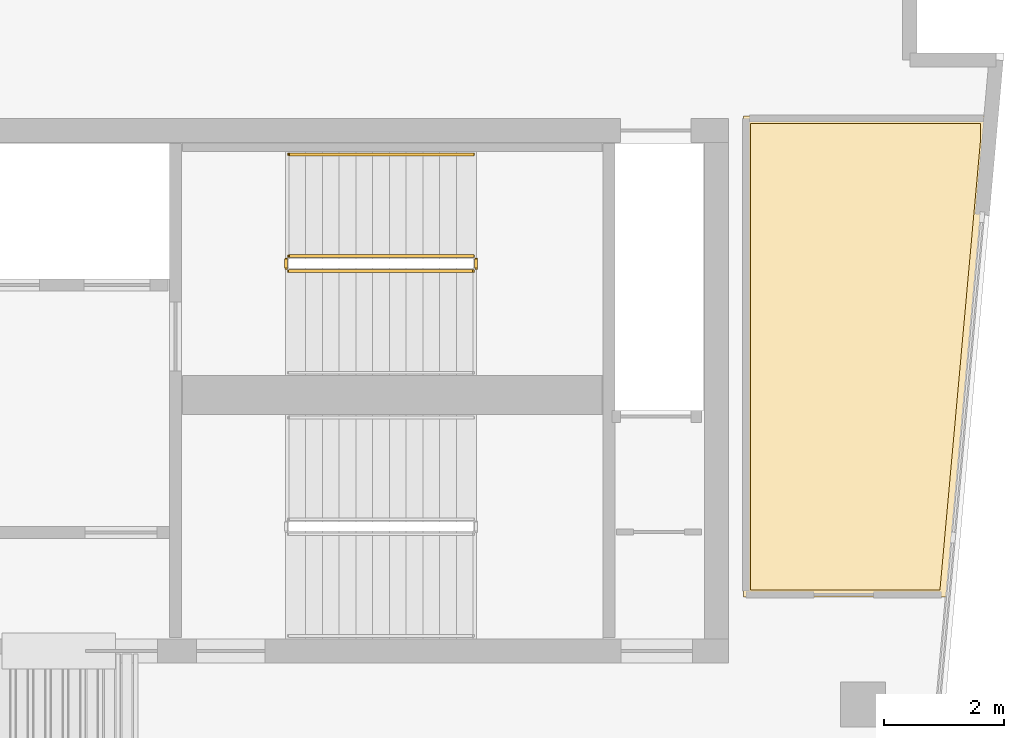
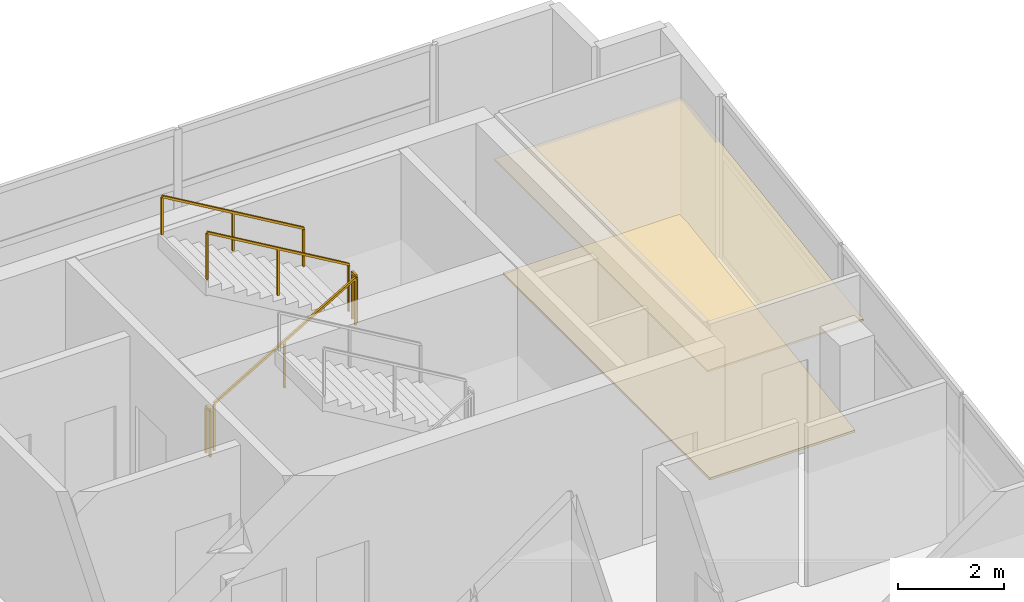
# One storey, part 7 of 7: 5 railings, 2 coverings.
"""IFC4 building model written with IfcOpenShell, lengths in metres."""

from ifc_helpers import new_model, si_unit, direction, frame, origin, origin_2d, place, context, subcontext, project, spatial, polyline, rectangle, outline, extrude, material, layer, layer_set, type_object, element, save


model = new_model("IFC4")

# Units and contexts
model_context = context("Model", 3, precision=1e-05, world=origin(), true_north=direction((0.0, 1.0)))
body_context = subcontext(model_context, "Body", "Model", "MODEL_VIEW")
ifc_project = project(units=[si_unit("LENGTHUNIT", "METRE"), si_unit("AREAUNIT", "SQUARE_METRE"), si_unit("VOLUMEUNIT", "CUBIC_METRE"), si_unit("PLANEANGLEUNIT", "RADIAN"), si_unit("MASSUNIT", "GRAM", prefix="KILO")], contexts=[model_context])

# Site, building, storey
site_placement = place(None, origin())
site = spatial("IfcSite", under=ifc_project, at=site_placement, CompositionType="ELEMENT")
building_placement = place(site_placement, origin())
building = spatial("IfcBuilding", under=site, at=building_placement, Name="Caeloran Harvest Quay", CompositionType="ELEMENT")
storey_placement = place(building_placement, frame((0.0, 0.0, 308.050048828125)))
storey = spatial("IfcBuildingStorey", under=building, at=storey_placement, Name="L74", CompositionType="ELEMENT", Elevation=308.050048828125)

# Coverings
ifc_material_1 = material(Name="Perforated Mineral-Fibre Acoustic Ceiling Tile", Category="ceiling")
ifc_layer_1 = layer(ifc_material_1, 0.0400390625, Name="Perforated Mineral-Fibre Acoustic Ceiling Tile")
ifc_layer_set_1 = layer_set([ifc_layer_1], Name="Perforated Mineral-Fibre Acoustic Ceiling Tile")
covering_type_1 = type_object("IfcCoveringType", Name="COV-CEILING-ACOUSTIC", PredefinedType="CEILING", material=ifc_layer_set_1)
covering_1_placement = place(storey_placement, frame((0.0, 0.0, 2.599853515625)))
element("IfcCovering", 1, at=covering_1_placement, inside=storey, type_object=covering_type_1, Name="L74 Bioinformatics and Crop Phenotyping Laboratory Acoustic Ceiling", PredefinedType="CEILING", context=body_context, shape_type="SweptSolid", body=[
    extrude(outline(polyline([(27.57861328125, 40.3876953125), (26.89453125, 32.800048828125), (23.5, 32.800048828125), (23.5, 40.840087890625), (27.57861328125, 40.840087890625), (27.57861328125, 40.3876953125)])), origin(), (0.0, 0.0, 1.0), 0.0400390625),
])
ifc_material_2 = material(Name="Calcium-Sulphate Raised Access Floor and Terrazzo Finish", Category="flooring")
ifc_layer_2 = layer(ifc_material_2, 0.050048828125, Name="Calcium-Sulphate Raised Access Floor and Terrazzo Finish")
ifc_layer_set_2 = layer_set([ifc_layer_2], Name="Calcium-Sulphate Raised Access Floor and Terrazzo Finish")
covering_type_2 = type_object("IfcCoveringType", Name="COV-FLOOR-RAISED", PredefinedType="FLOORING", material=ifc_layer_set_2)
covering_2_placement = place(storey_placement, origin())
element("IfcCovering", 2, at=covering_2_placement, inside=storey, type_object=covering_type_2, Name="L74 Bioinformatics and Crop Phenotyping Laboratory Raised Finish Flooring", PredefinedType="FLOORING", context=body_context, shape_type="SweptSolid", body=[
    extrude(outline(polyline([(27.458740234375, 40.39306640625), (26.784912109375, 32.919921875), (23.6201171875, 32.919921875), (23.6201171875, 40.719970703125), (27.458740234375, 40.719970703125), (27.458740234375, 40.39306640625)])), origin(), (0.0, 0.0, 1.0), 0.050048828125),
])

# Railings
ifc_material_3 = material(Name="Painted Steel Baluster and Top-Rail Stair Guard", Category="steel")
ifc_layer_3 = layer(ifc_material_3, 0.050048828125, Name="Painted Steel Baluster and Top-Rail Stair Guard")
ifc_layer_set_3 = layer_set([ifc_layer_3], Name="Painted Steel Baluster and Top-Rail Stair Guard")
railing_type_1 = type_object("IfcRailingType", Name="STAIR-GUARD-1100", PredefinedType="GUARDRAIL", material=ifc_layer_set_3)
railing_1_placement = place(storey_placement, frame((15.89990234375, 38.25, 0.16455078125)))
element("IfcRailing", 3, at=railing_1_placement, inside=storey, type_object=railing_type_1, Name="L74 ST-C1 stair guard 1", PredefinedType="GUARDRAIL", context=body_context, shape_type="SweptSolid", body=[
    extrude(rectangle(XDim=0.048095703125, YDim=0.048095703125, at=origin_2d()), frame((0.0, 0.0, 1.076171875), z_axis=(0.862118610829, 0.0, 0.506706523406), x_axis=(0.0, 1.0, 0.0)), (0.0, 0.0, 1.0), 3.57275390625),
    extrude(rectangle(XDim=0.0419921875, YDim=0.0419921875, at=origin_2d()), origin(), (0.0, 0.0, 1.0), 1.052001953125),
    extrude(rectangle(XDim=0.0419921875, YDim=0.0419921875, at=origin_2d()), frame((1.5400390625, 0.0, 0.9052734375)), (0.0, 0.0, 1.0), 1.052001953125),
    extrude(rectangle(XDim=0.0419921875, YDim=0.0419921875, at=origin_2d()), frame((3.080078125, 0.0, 1.810302734375)), (0.0, 0.0, 1.0), 1.052001953125),
])
railing_2_placement = place(storey_placement, frame((19.030029296875, 38.300048828125, 1.974853515625)))
element("IfcRailing", 4, at=railing_2_placement, inside=storey, type_object=railing_type_1, Name="L74 ST-C1 stair guard 2", PredefinedType="GUARDRAIL", context=body_context, shape_type="SweptSolid", body=[
    extrude(rectangle(XDim=0.048095703125, YDim=0.048095703125, at=origin_2d()), frame((0.0, 0.0, 1.076171875), z_axis=(0.0, 1.0, 0.0), x_axis=(-1.0, 0.0, 0.0)), (0.0, 0.0, 1.0), 0.14990234375),
    extrude(rectangle(XDim=0.0419921875, YDim=0.0419921875, at=origin_2d()), origin(), (0.0, 0.0, 1.0), 1.052001953125),
    extrude(rectangle(XDim=0.0419921875, YDim=0.0419921875, at=origin_2d()), frame((0.0, 0.14990234375, 0.0)), (0.0, 0.0, 1.0), 1.052001953125),
])
railing_3_placement = place(storey_placement, frame((18.97998046875, 38.5, 2.1396484375)))
element("IfcRailing", 5, at=railing_3_placement, inside=storey, type_object=railing_type_1, Name="L74 ST-C1 stair guard 3", PredefinedType="GUARDRAIL", context=body_context, shape_type="SweptSolid", body=[
    extrude(rectangle(XDim=0.048095703125, YDim=0.048095703125, at=origin_2d()), frame((0.0, 0.0, 1.076171875), z_axis=(-0.862118610829, 0.0, 0.506706523406), x_axis=(0.0, -1.0, 0.0)), (0.0, 0.0, 1.0), 3.57275390625),
    extrude(rectangle(XDim=0.0419921875, YDim=0.0419921875, at=origin_2d()), origin(), (0.0, 0.0, 1.0), 1.052001953125),
    extrude(rectangle(XDim=0.0419921875, YDim=0.0419921875, at=origin_2d()), frame((-1.5400390625, 0.0, 0.9052734375)), (0.0, 0.0, 1.0), 1.052001953125),
    extrude(rectangle(XDim=0.0419921875, YDim=0.0419921875, at=origin_2d()), frame((-3.080078125, 0.0, 1.810302734375)), (0.0, 0.0, 1.0), 1.052001953125),
])
railing_4_placement = place(storey_placement, frame((15.85009765625, 38.300048828125, 0.0)))
element("IfcRailing", 6, at=railing_4_placement, inside=storey, type_object=railing_type_1, Name="L74 ST-C1 stair guard 4", PredefinedType="GUARDRAIL", context=body_context, shape_type="SweptSolid", body=[
    extrude(rectangle(XDim=0.048095703125, YDim=0.048095703125, at=origin_2d()), frame((0.0, 0.0, 1.076171875), z_axis=(0.0, 1.0, 0.0), x_axis=(-1.0, 0.0, 0.0)), (0.0, 0.0, 1.0), 0.14990234375),
    extrude(rectangle(XDim=0.0419921875, YDim=0.0419921875, at=origin_2d()), origin(), (0.0, 0.0, 1.0), 1.052001953125),
    extrude(rectangle(XDim=0.0419921875, YDim=0.0419921875, at=origin_2d()), frame((0.0, 0.14990234375, 0.0)), (0.0, 0.0, 1.0), 1.052001953125),
])
ifc_material_4 = material(Name="Brushed Stainless Steel Grade 304", Category="steel")
ifc_layer_4 = layer(ifc_material_4, 0.050048828125, Name="Brushed Stainless Steel Grade 304")
ifc_layer_set_4 = layer_set([ifc_layer_4], Name="Brushed Stainless Steel Grade 304")
railing_type_2 = type_object("IfcRailingType", Name="STAIR-HANDRAIL-900", PredefinedType="HANDRAIL", material=ifc_layer_set_4)
railing_5_placement = place(storey_placement, frame((18.97998046875, 40.199951171875, 2.1396484375)))
element("IfcRailing", 7, at=railing_5_placement, inside=storey, type_object=railing_type_2, Name="L74 ST-C1 stair handrail 2", PredefinedType="HANDRAIL", context=body_context, shape_type="SweptSolid", body=[
    extrude(rectangle(XDim=0.048095703125, YDim=0.048095703125, at=origin_2d()), frame((0.0, 0.0, 0.8759765625), z_axis=(-0.862118610829, 0.0, 0.506706523406), x_axis=(0.0, -1.0, 0.0)), (0.0, 0.0, 1.0), 3.57275390625),
    extrude(rectangle(XDim=0.0419921875, YDim=0.0419921875, at=origin_2d()), origin(), (0.0, 0.0, 1.0), 0.851806640625),
    extrude(rectangle(XDim=0.0419921875, YDim=0.0419921875, at=origin_2d()), frame((-1.5400390625, 0.0, 0.9052734375)), (0.0, 0.0, 1.0), 0.851806640625),
    extrude(rectangle(XDim=0.0419921875, YDim=0.0419921875, at=origin_2d()), frame((-3.080078125, 0.0, 1.810302734375)), (0.0, 0.0, 1.0), 0.851806640625),
])

save(model, "model.ifc")
